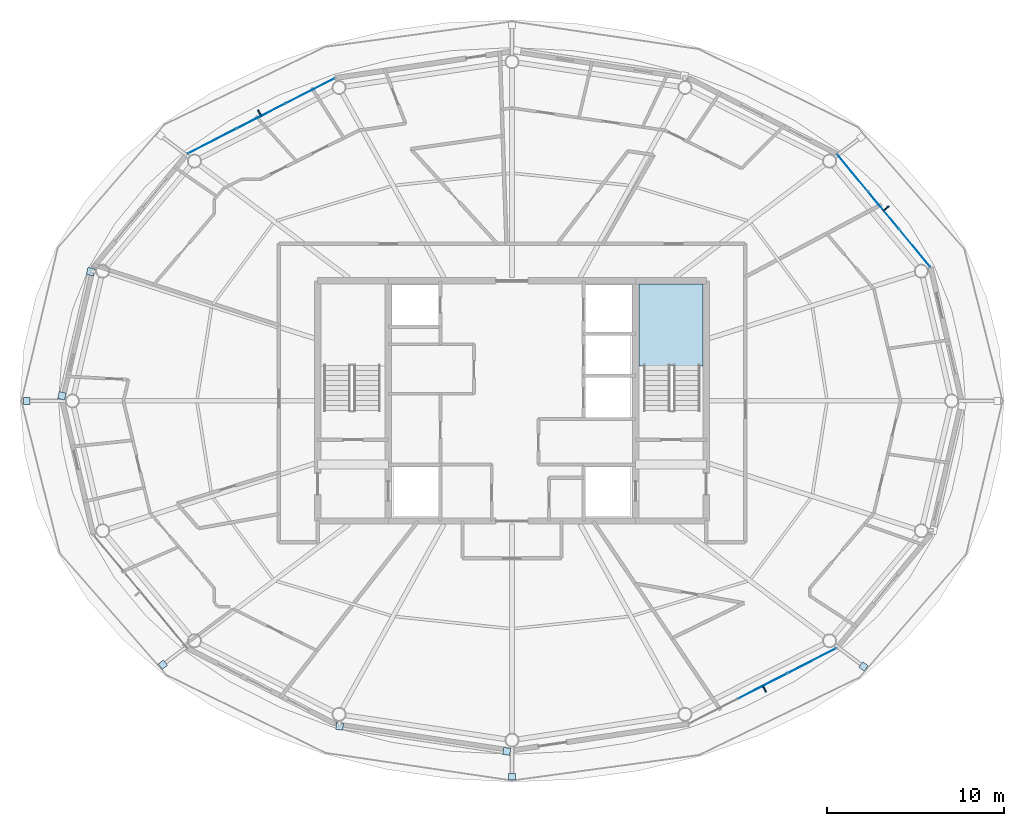
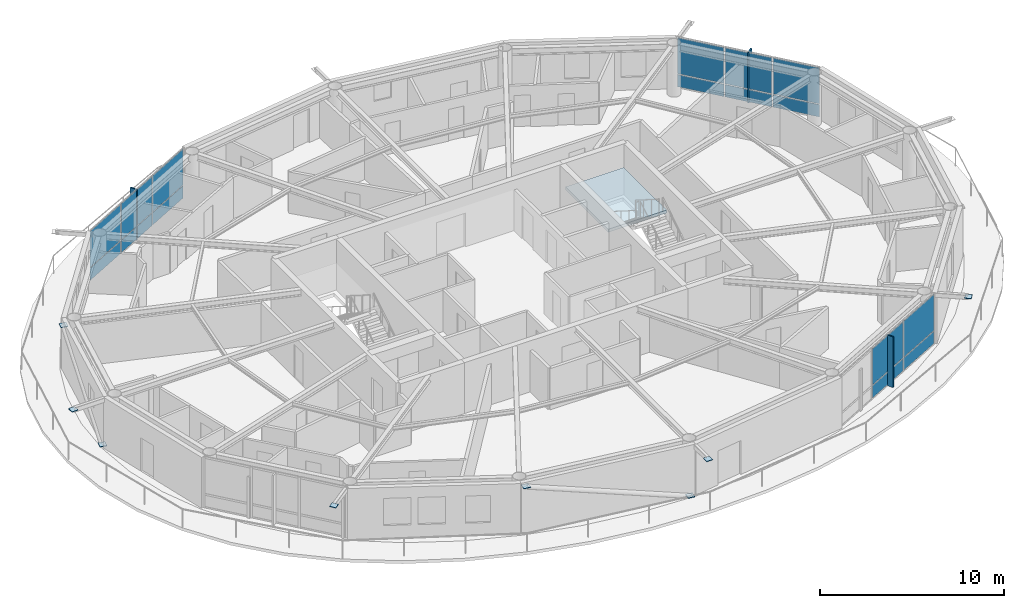
# One storey, part 14 of 22: 27 plates, 1 slab, 4 elements without a shape of their own.
"""IFC4 building model written with IfcOpenShell, lengths in metres."""

from ifc_helpers import new_model, si_unit, direction, frame, origin, origin_2d, place, context, subcontext, project, spatial, polyline, rectangle, outline, extrude, material, layer, layer_set, type_object, element, aggregate, save


model = new_model("IFC4")

# Units and contexts
model_context = context("Model", 3, precision=1e-05, world=origin(), true_north=direction((0.0, 1.0)))
body_context = subcontext(model_context, "Body", "Model", "MODEL_VIEW")
ifc_project = project(units=[si_unit("LENGTHUNIT", "METRE"), si_unit("AREAUNIT", "SQUARE_METRE"), si_unit("VOLUMEUNIT", "CUBIC_METRE"), si_unit("PLANEANGLEUNIT", "RADIAN"), si_unit("MASSUNIT", "GRAM", prefix="KILO")], contexts=[model_context])

# Site, building, storey
site_placement = place(None, origin())
site = spatial("IfcSite", under=ifc_project, at=site_placement, CompositionType="ELEMENT")
building_placement = place(site_placement, origin())
building = spatial("IfcBuilding", under=site, at=building_placement, Name="Sarneth Arch Tower", CompositionType="ELEMENT")
storey_placement = place(building_placement, frame((0.0, 0.0, 283.800048828125)))
storey = spatial("IfcBuildingStorey", under=building, at=storey_placement, Name="L73", CompositionType="ELEMENT", Elevation=283.800048828125)

# Curtain wall, plates
ifc_material_1 = material(Name="Anodised aluminium Type AA25 and solar-control low-e laminated IGU", Category="aluminium")
ifc_layer_1 = layer(ifc_material_1, 0.179931640625)
ifc_layer_set_1 = layer_set([ifc_layer_1], Name="Anodised aluminium Type AA25 and solar-control low-e laminated IGU")
curtain_wall_type = type_object("IfcCurtainWallType", Name="CW-RES-HIGH", PredefinedType="NOTDEFINED", material=ifc_layer_set_1)
curtain_wall_1_placement = place(storey_placement, origin())
curtain_wall_1 = element("IfcCurtainWall", 1, at=curtain_wall_1_placement, inside=storey, type_object=curtain_wall_type, Name="L73 Unitised curtain wall facet 02", PredefinedType="NOTDEFINED")
ifc_material_2 = material(Name="Solar-control low-e laminated IGU", Category="glass")
ifc_layer_2 = layer(ifc_material_2, 0.028076171875)
ifc_layer_set_2 = layer_set([ifc_layer_2], Name="Solar-control low-e laminated IGU")
plate_type_1 = type_object("IfcPlateType", Name="CW-PANEL", PredefinedType="CURTAIN_PANEL", material=ifc_layer_set_2)
plate_1_placement = place(storey_placement, frame((70.799072265625, 50.650634765625, 0.059814453125), z_axis=(0.0, 0.0, 1.0), x_axis=(-0.637610094184, 0.770359245933, 0.0)))
plate_1 = element("IfcPlate", 2, at=plate_1_placement, type_object=plate_type_1, Name="Curtain wall glazed vision pane CW-L73-F02/P00-00", PredefinedType="CURTAIN_PANEL", context=body_context, shape_type="SweptSolid", body=[
    extrude(rectangle(XDim=2.686767578125, YDim=0.028076171875, at=origin_2d()), origin(), (0.0, 0.0, 1.0), 0.81005859375),
])
plate_2_placement = place(storey_placement, frame((70.799072265625, 50.650634765625, 0.929931640625), z_axis=(0.0, 0.0, 1.0), x_axis=(-0.637610094184, 0.770359245933, 0.0)))
plate_2 = element("IfcPlate", 3, at=plate_2_placement, type_object=plate_type_1, Name="Curtain wall glazed vision pane CW-L73-F02/P00-01", PredefinedType="CURTAIN_PANEL", context=body_context, shape_type="SweptSolid", body=[
    extrude(rectangle(XDim=2.686767578125, YDim=0.028076171875, at=origin_2d()), origin(), (0.0, 0.0, 1.0), 2.3798828125),
])
plate_3_placement = place(storey_placement, frame((69.0380859375, 52.778076171875, 0.059814453125), z_axis=(0.0, 0.0, 1.0), x_axis=(-0.637610094184, 0.770359245933, 0.0)))
plate_3 = element("IfcPlate", 4, at=plate_3_placement, type_object=plate_type_1, Name="Curtain wall glazed vision pane CW-L73-F02/P01-00", PredefinedType="CURTAIN_PANEL", context=body_context, shape_type="SweptSolid", body=[
    extrude(rectangle(XDim=2.716552734375, YDim=0.028076171875, at=origin_2d()), origin(), (0.0, 0.0, 1.0), 0.81005859375),
])
plate_4_placement = place(storey_placement, frame((69.0380859375, 52.778076171875, 0.929931640625), z_axis=(0.0, 0.0, 1.0), x_axis=(-0.637610094184, 0.770359245933, 0.0)))
plate_4 = element("IfcPlate", 5, at=plate_4_placement, type_object=plate_type_1, Name="Curtain wall glazed vision pane CW-L73-F02/P01-01", PredefinedType="CURTAIN_PANEL", context=body_context, shape_type="SweptSolid", body=[
    extrude(rectangle(XDim=2.716552734375, YDim=0.028076171875, at=origin_2d()), origin(), (0.0, 0.0, 1.0), 2.3798828125),
])
plate_5_placement = place(storey_placement, frame((67.27734375, 54.905517578125, 0.059814453125), z_axis=(0.0, 0.0, 1.0), x_axis=(-0.637610094184, 0.770359245933, 0.0)))
plate_5 = element("IfcPlate", 6, at=plate_5_placement, type_object=plate_type_1, Name="Curtain wall glazed vision pane CW-L73-F02/P02-00", PredefinedType="CURTAIN_PANEL", context=body_context, shape_type="SweptSolid", body=[
    extrude(rectangle(XDim=2.686767578125, YDim=0.028076171875, at=origin_2d()), origin(), (0.0, 0.0, 1.0), 0.81005859375),
])
plate_6_placement = place(storey_placement, frame((67.27734375, 54.905517578125, 0.929931640625), z_axis=(0.0, 0.0, 1.0), x_axis=(-0.637610094184, 0.770359245933, 0.0)))
plate_6 = element("IfcPlate", 7, at=plate_6_placement, type_object=plate_type_1, Name="Curtain wall glazed vision pane CW-L73-F02/P02-01", PredefinedType="CURTAIN_PANEL", context=body_context, shape_type="SweptSolid", body=[
    extrude(rectangle(XDim=2.686767578125, YDim=0.028076171875, at=origin_2d()), origin(), (0.0, 0.0, 1.0), 2.3798828125),
])
aggregate(curtain_wall_1, [plate_1, plate_2, plate_3, plate_4, plate_5, plate_6])

curtain_wall_2_placement = place(storey_placement, origin())
curtain_wall_2 = element("IfcCurtainWall", 8, at=curtain_wall_2_placement, inside=storey, type_object=curtain_wall_type, Name="L73 Unitised curtain wall facet 06", PredefinedType="NOTDEFINED")
plate_7_placement = place(storey_placement, frame((36.5791015625, 59.552978515625, 0.059814453125), z_axis=(0.0, 0.0, 1.0), x_axis=(-0.890009540525, -0.455941901753, 0.0)))
plate_7 = element("IfcPlate", 9, at=plate_7_placement, type_object=plate_type_1, Name="Curtain wall glazed vision pane CW-L73-F06/P00-00", PredefinedType="CURTAIN_PANEL", context=body_context, shape_type="SweptSolid", body=[
    extrude(rectangle(XDim=3.044677734375, YDim=0.028076171875, at=origin_2d()), origin(), (0.0, 0.0, 1.0), 0.81005859375),
])
plate_8_placement = place(storey_placement, frame((36.5791015625, 59.552978515625, 0.929931640625), z_axis=(0.0, 0.0, 1.0), x_axis=(-0.890009540525, -0.455941901753, 0.0)))
plate_8 = element("IfcPlate", 10, at=plate_8_placement, type_object=plate_type_1, Name="Curtain wall glazed vision pane CW-L73-F06/P00-01", PredefinedType="CURTAIN_PANEL", context=body_context, shape_type="SweptSolid", body=[
    extrude(rectangle(XDim=3.044677734375, YDim=0.028076171875, at=origin_2d()), origin(), (0.0, 0.0, 1.0), 2.3798828125),
])
plate_9_placement = place(storey_placement, frame((33.802490234375, 58.13037109375, 0.059814453125), z_axis=(0.0, 0.0, 1.0), x_axis=(-0.890009540525, -0.455941901753, 0.0)))
plate_9 = element("IfcPlate", 11, at=plate_9_placement, type_object=plate_type_1, Name="Curtain wall glazed vision pane CW-L73-F06/P01-00", PredefinedType="CURTAIN_PANEL", context=body_context, shape_type="SweptSolid", body=[
    extrude(rectangle(XDim=3.07470703125, YDim=0.028076171875, at=origin_2d()), origin(), (0.0, 0.0, 1.0), 0.81005859375),
])
plate_10_placement = place(storey_placement, frame((33.802490234375, 58.13037109375, 0.929931640625), z_axis=(0.0, 0.0, 1.0), x_axis=(-0.890009540525, -0.455941901753, 0.0)))
plate_10 = element("IfcPlate", 12, at=plate_10_placement, type_object=plate_type_1, Name="Curtain wall glazed vision pane CW-L73-F06/P01-01", PredefinedType="CURTAIN_PANEL", context=body_context, shape_type="SweptSolid", body=[
    extrude(rectangle(XDim=3.07470703125, YDim=0.028076171875, at=origin_2d()), origin(), (0.0, 0.0, 1.0), 2.3798828125),
])
plate_11_placement = place(storey_placement, frame((31.02587890625, 56.7080078125, 0.059814453125), z_axis=(0.0, 0.0, 1.0), x_axis=(-0.890009540525, -0.455941901753, 0.0)))
plate_11 = element("IfcPlate", 13, at=plate_11_placement, type_object=plate_type_1, Name="Curtain wall glazed vision pane CW-L73-F06/P02-00", PredefinedType="CURTAIN_PANEL", context=body_context, shape_type="SweptSolid", body=[
    extrude(rectangle(XDim=3.044677734375, YDim=0.028076171875, at=origin_2d()), origin(), (0.0, 0.0, 1.0), 0.81005859375),
])
plate_12_placement = place(storey_placement, frame((31.02587890625, 56.7080078125, 0.929931640625), z_axis=(0.0, 0.0, 1.0), x_axis=(-0.890009540525, -0.455941901753, 0.0)))
plate_12 = element("IfcPlate", 14, at=plate_12_placement, type_object=plate_type_1, Name="Curtain wall glazed vision pane CW-L73-F06/P02-01", PredefinedType="CURTAIN_PANEL", context=body_context, shape_type="SweptSolid", body=[
    extrude(rectangle(XDim=3.044677734375, YDim=0.028076171875, at=origin_2d()), origin(), (0.0, 0.0, 1.0), 2.3798828125),
])
aggregate(curtain_wall_2, [plate_7, plate_8, plate_9, plate_10, plate_11, plate_12])

curtain_wall_3_placement = place(storey_placement, origin())
curtain_wall_3 = element("IfcCurtainWall", 15, at=curtain_wall_3_placement, inside=storey, type_object=curtain_wall_type, Name="L73 Unitised curtain wall facet 14", PredefinedType="NOTDEFINED")
plate_13_placement = place(storey_placement, frame((62.197509765625, 25.86962890625, 0.059814453125), z_axis=(0.0, 0.0, 1.0), x_axis=(0.890009540525, 0.455941901753, 0.0)))
plate_13 = element("IfcPlate", 16, at=plate_13_placement, type_object=plate_type_1, Name="Curtain wall glazed vision pane CW-L73-F14/P01-00", PredefinedType="CURTAIN_PANEL", context=body_context, shape_type="SweptSolid", body=[
    extrude(rectangle(XDim=3.07470703125, YDim=0.028076171875, at=origin_2d()), origin(), (0.0, 0.0, 1.0), 0.81005859375),
])
plate_14_placement = place(storey_placement, frame((62.197509765625, 25.86962890625, 0.929931640625), z_axis=(0.0, 0.0, 1.0), x_axis=(0.890009540525, 0.455941901753, 0.0)))
plate_14 = element("IfcPlate", 17, at=plate_14_placement, type_object=plate_type_1, Name="Curtain wall glazed vision pane CW-L73-F14/P01-01", PredefinedType="CURTAIN_PANEL", context=body_context, shape_type="SweptSolid", body=[
    extrude(rectangle(XDim=3.07470703125, YDim=0.028076171875, at=origin_2d()), origin(), (0.0, 0.0, 1.0), 2.3798828125),
])
plate_15_placement = place(storey_placement, frame((64.97412109375, 27.2919921875, 0.059814453125), z_axis=(0.0, 0.0, 1.0), x_axis=(0.890009540525, 0.455941901753, 0.0)))
plate_15 = element("IfcPlate", 18, at=plate_15_placement, type_object=plate_type_1, Name="Curtain wall glazed vision pane CW-L73-F14/P02-00", PredefinedType="CURTAIN_PANEL", context=body_context, shape_type="SweptSolid", body=[
    extrude(rectangle(XDim=3.044677734375, YDim=0.028076171875, at=origin_2d()), origin(), (0.0, 0.0, 1.0), 0.81005859375),
])
plate_16_placement = place(storey_placement, frame((64.97412109375, 27.2919921875, 0.929931640625), z_axis=(0.0, 0.0, 1.0), x_axis=(0.890009540525, 0.455941901753, 0.0)))
plate_16 = element("IfcPlate", 19, at=plate_16_placement, type_object=plate_type_1, Name="Curtain wall glazed vision pane CW-L73-F14/P02-01", PredefinedType="CURTAIN_PANEL", context=body_context, shape_type="SweptSolid", body=[
    extrude(rectangle(XDim=3.044677734375, YDim=0.028076171875, at=origin_2d()), origin(), (0.0, 0.0, 1.0), 2.3798828125),
])
aggregate(curtain_wall_3, [plate_13, plate_14, plate_15, plate_16])

# Plates
ifc_material_3 = material(Name="Steel S355", Category="steel")
ifc_layer_3 = layer(ifc_material_3, 0.035888671875)
ifc_layer_set_3 = layer_set([ifc_layer_3], Name="Steel S355")
plate_type_2 = type_object("IfcPlateType", Name="PLT-GUSSET-30", PredefinedType="SHEET", material=ifc_layer_set_3)
for number, where, z_axis, x_axis, name in (
    (20, (22.5234375, 42.292236328125, 0.001953125), (0.0, 0.0, 1.0), (-0.225461202458, -0.974252147129, 0.0), "Steel end cap plate GP-1"),
    (21, (24.148193359375, 49.3154296875, 3.07421875), (0.0, 0.0, 1.0), (-0.225461202458, -0.974252147129, 0.0), "Steel end cap plate GP-1"),
):
    element("IfcPlate", number, at=place(storey_placement, frame(where, z_axis=z_axis, x_axis=x_axis)), inside=storey, type_object=plate_type_2, Name=name, PredefinedType="SHEET", context=body_context, shape_type="SweptSolid", body=[
        extrude(rectangle(XDim=0.404052734375, YDim=0.404052734375, at=origin_2d()), origin(), (0.0, 0.0, 1.0), 0.035888671875),
    ])
for number, where, z_axis, x_axis, name in (
    (22, (20.5302734375, 42.0, 3.19189453125), (0.0, 0.0, 1.0), (-1.0, 0.0, 0.0), "Steel end cap plate GP-1"),
    (23, (28.2373046875, 27.073486328125, 3.19189453125), (0.0, 0.0, 1.0), (-0.798004853043, -0.602651022168, 0.0), "Steel end cap plate GP-1"),
):
    element("IfcPlate", number, at=place(storey_placement, frame(where, z_axis=z_axis, x_axis=x_axis)), inside=storey, type_object=plate_type_2, Name=name, PredefinedType="SHEET", context=body_context, shape_type="SweptSolid", body=[
        extrude(rectangle(XDim=0.3798828125, YDim=0.3798828125, at=origin_2d()), origin(), (0.0, 0.0, 1.0), 0.035888671875),
    ])
for number, where, z_axis, x_axis, name in (
    (24, (47.703369140625, 22.16455078125, 0.001953125), (0.0, 0.0, 1.0), (0.988860535448, -0.148845024885, 0.0), "Steel end cap plate GP-1"),
    (25, (38.245849609375, 23.588623046875, 3.07421875), (0.0, 0.0, 1.0), (0.988860535448, -0.148845024885, 0.0), "Steel end cap plate GP-1"),
):
    element("IfcPlate", number, at=place(storey_placement, frame(where, z_axis=z_axis, x_axis=x_axis)), inside=storey, type_object=plate_type_2, Name=name, PredefinedType="SHEET", context=body_context, shape_type="SweptSolid", body=[
        extrude(rectangle(XDim=0.404052734375, YDim=0.404052734375, at=origin_2d()), origin(), (0.0, 0.0, 1.0), 0.035888671875),
    ])
for number, where, z_axis, x_axis, name in (
    (26, (48.0, 20.736572265625, 3.19189453125), (0.0, 0.0, 1.0), (0.0, -1.0, 0.0), "Steel end cap plate GP-1"),
    (27, (67.898193359375, 26.970947265625, 3.19189453125), (0.0, 0.0, 1.0), (0.798004853043, -0.602651022168, 0.0), "Steel end cap plate GP-1"),
):
    element("IfcPlate", number, at=place(storey_placement, frame(where, z_axis=z_axis, x_axis=x_axis)), inside=storey, type_object=plate_type_2, Name=name, PredefinedType="SHEET", context=body_context, shape_type="SweptSolid", body=[
        extrude(rectangle(XDim=0.3798828125, YDim=0.3798828125, at=origin_2d()), origin(), (0.0, 0.0, 1.0), 0.035888671875),
    ])
ifc_material_4 = material(Name="Extruded glazed terracotta baguette fin on Aluminium 6063-T6 carrier", Category="masonry")
ifc_layer_4 = layer(ifc_material_4, 0.080078125)
ifc_layer_set_4 = layer_set([ifc_layer_4], Name="Extruded glazed terracotta baguette fin on Aluminium 6063-T6 carrier")
plate_type_3 = type_object("IfcPlateType", Name="SHADE-TERRA-FIN", PredefinedType="SHEET", material=ifc_layer_set_4)
for number, where, z_axis, x_axis, name in (
    (28, (69.169189453125, 52.886474609375, 0.010009765625), (0.0, 0.0, 1.0), (0.770401979567, 0.63755845997, 0.0), "L73 Terracotta vertical shading fin 02"),
    (29, (33.724853515625, 58.28173828125, 0.010009765625), (0.0, 0.0, 1.0), (-0.456010959102, 0.889974159838, 0.0), "L73 Terracotta vertical shading fin 06"),
    (30, (62.275146484375, 25.71826171875, 0.010009765625), (0.0, 0.0, 1.0), (0.456010959102, -0.889974159838, 0.0), "L73 Terracotta vertical shading fin 14"),
):
    element("IfcPlate", number, at=place(storey_placement, frame(where, z_axis=z_axis, x_axis=x_axis)), inside=storey, type_object=plate_type_3, Name=name, PredefinedType="SHEET", context=body_context, shape_type="SweptSolid", body=[
        extrude(rectangle(XDim=0.419921875, YDim=0.080078125, at=origin_2d()), origin(), (0.0, 0.0, 1.0), 3.35009765625),
    ])

# Stair, slab
ifc_material_5 = material(Name="Concrete C50/60", Category="concrete")
stair_type = type_object("IfcStairType", Name="STAIR-CORE-RC", PredefinedType="HALF_TURN_STAIR", material=ifc_material_5)
stair_placement = place(storey_placement, origin())
stair = element("IfcStair", 31, at=stair_placement, inside=storey, type_object=stair_type, Name="L73 Core Exit Stair 2", PredefinedType="HALF_TURN_STAIR")
ifc_material_6 = material(Name="Concrete C50/60", Category="concrete")
ifc_layer_5 = layer(ifc_material_6, 0.199951171875)
ifc_layer_set_5 = layer_set([ifc_layer_5], Name="Concrete C50/60")
slab_type = type_object("IfcSlabType", Name="SLAB-LANDING-200", PredefinedType="LANDING", material=ifc_layer_set_5)
slab_placement = place(storey_placement, frame((0.0, 0.0, 1.599853515625)))
slab = element("IfcSlab", 32, at=slab_placement, type_object=slab_type, Name="ST-2 landing 1", PredefinedType="LANDING", context=body_context, shape_type="SweptSolid", body=[
    extrude(outline(polyline([(55.175048828125, 43.985107421875), (58.824951171875, 43.985107421875), (58.824951171875, 48.625), (55.175048828125, 48.625), (55.175048828125, 43.985107421875)])), origin(), (0.0, 0.0, 1.0), 0.2001953125),
])
aggregate(stair, [slab])

save(model, "model.ifc")
